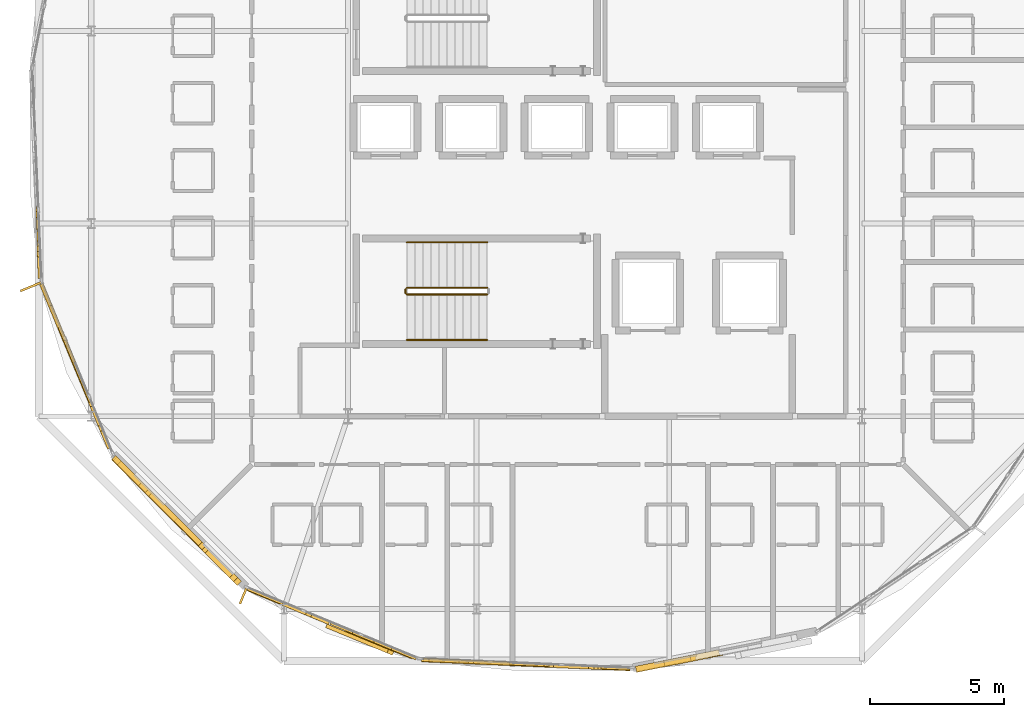
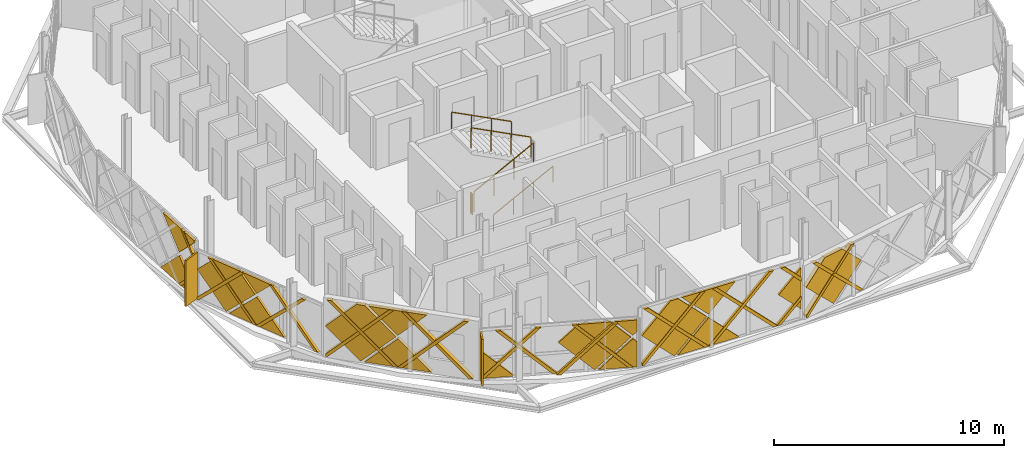
# One storey, part 20 of 24: 39 coverings, 5 railings, 2 shading devices.
"""IFC4 building model written with IfcOpenShell, lengths in metres."""

from ifc_helpers import new_model, si_unit, direction, frame, origin, origin_2d, place, context, subcontext, project, spatial, polyline, rectangle, circle, outline, extrude, material, layer, layer_set, type_object, element, save


model = new_model("IFC4")

# Units and contexts
model_context = context("Model", 3, precision=1e-05, world=origin(), true_north=direction((0.0, 1.0)))
body_context = subcontext(model_context, "Body", "Model", "MODEL_VIEW")
ifc_project = project(units=[si_unit("LENGTHUNIT", "METRE"), si_unit("AREAUNIT", "SQUARE_METRE"), si_unit("VOLUMEUNIT", "CUBIC_METRE"), si_unit("PLANEANGLEUNIT", "RADIAN"), si_unit("MASSUNIT", "GRAM", prefix="KILO")], contexts=[model_context])

# Site, building, storey
site_placement = place(None, origin())
site = spatial("IfcSite", under=ifc_project, at=site_placement, CompositionType="ELEMENT")
building_placement = place(site_placement, origin())
building = spatial("IfcBuilding", under=site, at=building_placement, Name="Zevrakil Square Congress Hotel", CompositionType="ELEMENT")
storey_placement = place(building_placement, frame((0.0, 0.0, 35.10009765625)))
storey = spatial("IfcBuildingStorey", under=building, at=storey_placement, Name="L10", CompositionType="ELEMENT", Elevation=35.10009765625)

# Coverings
ifc_material_1 = material(Name="Architectural White Fibre-C GRC", Category="concrete")
ifc_layer_1 = layer(ifc_material_1, 0.06494140625)
ifc_layer_set_1 = layer_set([ifc_layer_1], Name="Architectural White Fibre-C GRC")
covering_type_1 = type_object("IfcCoveringType", Name="COV-DIA-WHITE", PredefinedType="CLADDING", material=ifc_layer_set_1)
covering_1_placement = place(storey_placement, frame((150.68701171875, 7.8701171875, 1.679931640625), z_axis=(0.195079465857, -0.98078724945, 0.000610996468), x_axis=(-0.693375320469, -0.138353516947, -0.707169689193)))
element("IfcCovering", 1, at=covering_1_placement, inside=storey, type_object=covering_type_1, Name="L10 45-degree white GRC diamond facade cassette 3081", PredefinedType="CLADDING", context=body_context, shape_type="SweptSolid", body=[
    extrude(outline(polyline([(0.0, 0.0), (2.2485237702191414, -2.220446049250313e-16), (2.2484321586547518, -2.2346759115582437), (2.2342749529628954, -2.2488305930753154), (0.7067143166885739, -2.2485952126623645), (-0.00027619170072501475, -1.5414786312546833), (0.0, 0.0)])), origin(), (0.0, 0.0, -1.0), 0.2099609375),
])
covering_2_placement = place(storey_placement, frame((125.193603515625, 23.129150390625, 1.58984375), z_axis=(-0.999071645266, -0.043076923793, 0.000475669163), x_axis=(0.03012514136, -0.706492194002, -0.707079384278)))
element("IfcCovering", 2, at=covering_2_placement, inside=storey, type_object=covering_type_1, Name="L10 45-degree white GRC diamond facade cassette 3183", PredefinedType="CLADDING", context=body_context, shape_type="SweptSolid", body=[
    extrude(outline(polyline([(0.0, 0.0), (1.6746098547379626, -1.1102230246251565e-16), (1.905066636479116, -0.23047458807612686), (-6.422440089037806e-05, -2.1354583639213383), (0.0, 0.0)])), origin(), (0.0, 0.0, -1.0), 0.1201171875),
])
covering_3_placement = place(storey_placement, frame((125.19384765625, 23.129150390625, 1.77001953125), z_axis=(-0.999070391664, -0.043105215152, 0.000541227331), x_axis=(-0.030100130549, 0.706522951805, 0.707049715871)))
element("IfcCovering", 3, at=covering_3_placement, inside=storey, type_object=covering_type_1, Name="L10 45-degree white GRC diamond facade cassette 3186", PredefinedType="CLADDING", context=body_context, shape_type="SweptSolid", body=[
    extrude(outline(polyline([(0.0, 0.0), (1.8597581118635351, -1.1102230246251565e-16), (0.09227986268512134, -1.76719346709818), (-0.00024422122770972887, -1.674654475827753), (0.0, 0.0)])), origin(), (0.0, 0.0, -1.0), 0.1201171875),
])
covering_4_placement = place(storey_placement, frame((126.5419921875, 18.7099609375, 1.58984375), z_axis=(-0.923868829979, -0.382708701533, 0.000659366859), x_axis=(0.270168816895, -0.653412944797, -0.707149442444)))
element("IfcCovering", 4, at=covering_4_placement, inside=storey, type_object=covering_type_1, Name="L10 45-degree white GRC diamond facade cassette 3193", PredefinedType="CLADDING", context=body_context, shape_type="SweptSolid", body=[
    extrude(outline(polyline([(0.0, 0.0), (2.1353474598036293, 0.0), (4.904370967317995e-05, -2.1355570221912767), (0.0, 0.0)])), origin(), (0.0, 0.0, -1.0), 0.1201171875),
])
covering_5_placement = place(storey_placement, frame((126.507568359375, 18.793212890625, 1.679931640625), z_axis=(-0.923863471169, -0.382721784999, 0.000567386721), x_axis=(-0.270981599653, 0.653082178643, -0.707144002724)))
element("IfcCovering", 5, at=covering_5_placement, inside=storey, type_object=covering_type_1, Name="L10 45-degree white GRC diamond facade cassette 3194", PredefinedType="CLADDING", context=body_context, shape_type="SweptSolid", body=[
    extrude(outline(polyline([(0.0, 0.0), (2.248605533938587, -2.220446049250313e-16), (2.2483450209008504, -2.234425787947465), (2.2341883294400686, -2.2485809844961264), (0.9898320922231829, -2.2485013949416706), (-0.00011761326724668564, -1.2584471852942247), (0.0, 0.0)])), origin(), (0.0, 0.0, -1.0), 0.1201171875),
])
covering_6_placement = place(storey_placement, frame((126.5419921875, 18.7099609375, 1.77001953125), z_axis=(-0.92386037456, -0.382729074892, 0.00068084549), x_axis=(-0.270211508688, 0.653514735069, 0.707039059473)))
element("IfcCovering", 6, at=covering_6_placement, inside=storey, type_object=covering_type_1, Name="L10 45-degree white GRC diamond facade cassette 3195", PredefinedType="CLADDING", context=body_context, shape_type="SweptSolid", body=[
    extrude(outline(polyline([(0.0, 0.0), (1.1312029749754293, -1.1102230246251565e-16), (-0.00016144638551329749, -1.1311482684802083), (0.0, 0.0)])), origin(), (0.0, 0.0, -1.0), 0.1201171875),
])
covering_7_placement = place(storey_placement, frame((130.2802734375, 12.88232421875, 1.58984375), z_axis=(-0.707106665659, -0.707106665659, 0.000571630288), x_axis=(0.499716692516, -0.500288319938, -0.707103121302)))
element("IfcCovering", 7, at=covering_7_placement, inside=storey, type_object=covering_type_1, Name="L10 45-degree white GRC diamond facade cassette 3200", PredefinedType="CLADDING", context=body_context, shape_type="SweptSolid", body=[
    extrude(outline(polyline([(0.0, 0.0), (2.1354873428434074, 0.0), (-2.1408116838594893e-05, -2.1354873427360994), (0.0, 0.0)])), origin(), (0.0, 0.0, -1.0), 0.2099609375),
])
covering_8_placement = place(storey_placement, frame((130.216796875, 12.946044921875, 1.679931640625), z_axis=(-0.707070264645, -0.707143063319, 0.000573458677), x_axis=(-0.500291445921, 0.49966648886, -0.707136386455)))
element("IfcCovering", 8, at=covering_8_placement, inside=storey, type_object=covering_type_1, Name="L10 45-degree white GRC diamond facade cassette 3201", PredefinedType="CLADDING", context=body_context, shape_type="SweptSolid", body=[
    extrude(outline(polyline([(0.0, 0.0), (2.248629748417704, 0.0), (2.2485612017862366, -2.234593692780067), (2.2344046627995913, -2.2487490417192606), (0.26152651092483825, -2.2486438184719155), (-0.00018122981866919297, -1.98691406037199), (0.0, 0.0)])), origin(), (0.0, 0.0, -1.0), 0.2099609375),
])
covering_9_placement = place(storey_placement, frame((130.280517578125, 12.88232421875, 1.77001953125), z_axis=(-0.707106683685, -0.707106683685, 0.000525144214), x_axis=(-0.499771731098, 0.5002968393, 0.707058193773)))
element("IfcCovering", 9, at=covering_9_placement, inside=storey, type_object=covering_type_1, Name="L10 45-degree white GRC diamond facade cassette 3202", PredefinedType="CLADDING", context=body_context, shape_type="SweptSolid", body=[
    extrude(outline(polyline([(0.0, 0.0), (1.8597357584288405, 0.0), (-1.0897020790157086e-05, -1.8594916170560278), (0.0, 0.0)])), origin(), (0.0, 0.0, -1.0), 0.2099609375),
])
covering_10_placement = place(storey_placement, frame((134.33642578125, 9.75830078125, 0.079833984375), z_axis=(-0.382795141331, -0.923833050268, 0.000612376979), x_axis=(-0.923833223489, 0.382795213106, 0.0)))
element("IfcCovering", 10, at=covering_10_placement, inside=storey, type_object=covering_type_1, Name="L10 45-degree white GRC diamond facade cassette 3207", PredefinedType="CLADDING", context=body_context, shape_type="SweptSolid", body=[
    extrude(outline(polyline([(0.0, 0.0), (1.4101402091595994, 5.421010862427522e-20), (1.4099694863061667, -1.410156514408295), (0.0, 0.0)])), origin(), (0.0, 0.0, -1.0), 0.1201171875),
])
covering_11_placement = place(storey_placement, frame((139.150146484375, 7.765380859375, 1.58984375), z_axis=(-0.382616449419, -0.923907144862, 0.000490210687), x_axis=(0.653103343036, -0.270844044671, -0.707177153747)))
element("IfcCovering", 11, at=covering_11_placement, inside=storey, type_object=covering_type_1, Name="L10 45-degree white GRC diamond facade cassette 3208", PredefinedType="CLADDING", context=body_context, shape_type="SweptSolid", body=[
    extrude(outline(polyline([(0.0, 0.0), (0.26272194364133294, 0.0), (1.1992181132494006, -0.9362322380569426), (0.0002758224788055319, -2.1354134106859286), (0.0, 0.0)])), origin(), (0.0, 0.0, -1.0), 0.1201171875),
])
covering_12_placement = place(storey_placement, frame((139.067138671875, 7.800048828125, 1.679931640625), z_axis=(-0.382636587335, -0.923898756788, 0.000573792342), x_axis=(-0.653466938375, 0.270196961807, -0.707088793775)))
element("IfcCovering", 12, at=covering_12_placement, inside=storey, type_object=covering_type_1, Name="L10 45-degree white GRC diamond facade cassette 3209", PredefinedType="CLADDING", context=body_context, shape_type="SweptSolid", body=[
    extrude(outline(polyline([(0.0, 0.0), (2.2487810190107895, 0.0), (2.248653025889955, -2.248539380285263), (0.9900463031141908, -2.2484628329676086), (8.537203195191356e-05, -1.258551974022046), (0.0, 0.0)])), origin(), (0.0, 0.0, -1.0), 0.1201171875),
])
covering_13_placement = place(storey_placement, frame((139.150146484375, 7.765625, 1.77001953125), z_axis=(-0.382821907419, -0.92382203329, 0.000487861163), x_axis=(-0.653139715544, 0.27102746664, 0.707073280718)))
element("IfcCovering", 13, at=covering_13_placement, inside=storey, type_object=covering_type_1, Name="L10 45-degree white GRC diamond facade cassette 3210", PredefinedType="CLADDING", context=body_context, shape_type="SweptSolid", body=[
    extrude(outline(polyline([(0.0, 0.0), (1.131148277580393, 0.0), (0.4340731793365563, -0.6970091673559515), (-0.00014565085678255874, -0.2628814777507218), (0.0, 0.0)])), origin(), (0.0, 0.0, -1.0), 0.1201171875),
])
covering_14_placement = place(storey_placement, frame((142.802978515625, 7.504150390625, 1.58984375), z_axis=(-0.043089890273, -0.999071039379, 0.000565359521), x_axis=(0.706426752544, -0.030868299593, -0.707112714757)))
element("IfcCovering", 14, at=covering_14_placement, inside=storey, type_object=covering_type_1, Name="L10 45-degree white GRC diamond facade cassette 3215", PredefinedType="CLADDING", context=body_context, shape_type="SweptSolid", body=[
    extrude(outline(polyline([(0.0, 0.0), (2.135458370514828, 2.220446049250313e-16), (8.859228778668182e-05, -2.1354062984414917), (0.0, 0.0)])), origin(), (0.0, 0.0, -1.0), 0.1201171875),
])
covering_15_placement = place(storey_placement, frame((142.713134765625, 7.50830078125, 1.679931640625), z_axis=(-0.043043463019, -0.999073016241, 0.000607051171), x_axis=(-0.706461661167, 0.030007117564, -0.707114908765)))
element("IfcCovering", 15, at=covering_15_placement, inside=storey, type_object=covering_type_1, Name="L10 45-degree white GRC diamond facade cassette 3216", PredefinedType="CLADDING", context=body_context, shape_type="SweptSolid", body=[
    extrude(outline(polyline([(0.0, 0.0), (2.248698094346398, 2.220446049250313e-16), (2.2485318258373646, -2.2344282617726074), (2.234375716824008, -2.248584040146799), (0.2616634413874428, -2.2487045168353728), (-0.00011387289696918046, -1.9869211449911266), (0.0, 0.0)])), origin(), (0.0, 0.0, -1.0), 0.1201171875),
])
covering_16_placement = place(storey_placement, frame((146.249755859375, 7.355712890625, 1.679931640625), z_axis=(-0.043282303638, -0.9990626582, 0.000668716639), x_axis=(0.70647008189, -0.030133047262, 0.707101140472)))
element("IfcCovering", 16, at=covering_16_placement, inside=storey, type_object=covering_type_1, Name="L10 45-degree white GRC diamond facade cassette 3217", PredefinedType="CLADDING", context=body_context, shape_type="SweptSolid", body=[
    extrude(outline(polyline([(0.0, 0.0), (1.5474989624821107, 1.1102230246251565e-16), (6.882944854624817e-05, -1.5475437938096466), (0.0, 0.0)])), origin(), (0.0, 0.0, -1.0), 0.1201171875),
])
covering_17_placement = place(storey_placement, frame((142.802978515625, 7.50439453125, 1.77001953125), z_axis=(-0.043074639448, -0.999071702013, 0.000556482567), x_axis=(-0.706441888382, 0.030851857233, 0.707098310876)))
element("IfcCovering", 17, at=covering_17_placement, inside=storey, type_object=covering_type_1, Name="L10 45-degree white GRC diamond facade cassette 3218", PredefinedType="CLADDING", context=body_context, shape_type="SweptSolid", body=[
    extrude(outline(polyline([(0.0, 0.0), (1.8596302466344468, 1.1102230246251565e-16), (6.410375920085087e-07, -1.859585629882697), (0.0, 0.0)])), origin(), (0.0, 0.0, -1.0), 0.1201171875),
])
ifc_material_2 = material(Name="Anodised Champagne Aluminium", Category="aluminium")
ifc_layer_2 = layer(ifc_material_2, 0.0849609375)
ifc_layer_set_2 = layer_set([ifc_layer_2], Name="Anodised Champagne Aluminium")
covering_type_2 = type_object("IfcCoveringType", Name="COV-DIAGRID-45", PredefinedType="MOLDING", material=ifc_layer_set_2)
covering_18_placement = place(storey_placement, frame((147.66748046875, 7.2431640625, 0.079833984375), z_axis=(0.195653272231, -0.980673134367, 2.4403881e-05), x_axis=(-0.980673134659, -0.19565327229, 2.046e-09)))
element("IfcCovering", 18, at=covering_18_placement, inside=storey, type_object=covering_type_2, Name="L10 45-degree aluminium diagrid rib 3083", PredefinedType="MOLDING", context=body_context, shape_type="SweptSolid", body=[
    extrude(outline(polyline([(0.0, 0.0), (0.08613598153810498, 5.293955920339377e-23), (0.08613598179640831, -0.12622070308741468), (-2.477833761103705, -2.690185552811873), (-2.6899418096923036, -2.6901855533522596), (0.0, 0.0)])), origin(), (0.0, 0.0, -1.0), 0.235107421875),
])
covering_19_placement = place(storey_placement, frame((147.95947265625, 7.302734375, 2.77001953125), z_axis=(0.195673277498, -0.980668426048, 0.001186012605), x_axis=(0.980669115765, 0.195673415118, 0.0)))
element("IfcCovering", 19, at=covering_19_placement, inside=storey, type_object=covering_type_2, Name="L10 45-degree aluminium diagrid rib 3085", PredefinedType="MOLDING", context=body_context, shape_type="SweptSolid", body=[
    extrude(outline(polyline([(0.0, 0.0), (0.21210804863334146, 0.0), (2.901907673309703, -2.6901874389193288), (2.689799624676362, -2.6901874389193288), (0.0, 0.0)])), origin(), (0.0, 0.0, -1.0), 0.235107421875),
])
covering_20_placement = place(storey_placement, frame((125.17578125, 22.942138671875, 0.079833984375), z_axis=(-0.999069313343, -0.04313018463, 0.000542503642), x_axis=(-0.043130190817, 0.999069460368, 2.94382e-07)))
element("IfcCovering", 20, at=covering_20_placement, inside=storey, type_object=covering_type_2, Name="L10 45-degree aluminium diagrid rib 3189", PredefinedType="MOLDING", context=body_context, shape_type="SweptSolid", body=[
    extrude(outline(polyline([(0.0, 0.0), (0.2121064718407351, 1.6940658945086007e-21), (-0.998026982605781, -1.2104496906750732), (-0.9980270450613334, -0.9982915187702467), (0.0, 0.0)])), origin(), (0.0, 0.0, -1.0), 0.14501953125),
])
covering_21_placement = place(storey_placement, frame((125.177001953125, 22.95947265625, 3.0849609375), z_axis=(-0.999072363986, -0.043058276145, 0.00062958327), x_axis=(0.043058284473, -0.999072561998, -3.27148e-07)))
element("IfcCovering", 21, at=covering_21_placement, inside=storey, type_object=covering_type_2, Name="L10 45-degree aluminium diagrid rib 3192", PredefinedType="MOLDING", context=body_context, shape_type="SweptSolid", body=[
    extrude(outline(polyline([(0.0, 0.0), (0.21235039377493872, 1.6940658945086007e-21), (1.0153244354913855, -0.8032224832772277), (1.0153139926220693, -1.0153807979228369), (0.0, 0.0)])), origin(), (0.0, 0.0, -1.0), 0.14501953125),
])
covering_22_placement = place(storey_placement, frame((125.303466796875, 21.63232421875, 0.079833984375), z_axis=(-0.9239428593, -0.382529769628, 0.000753721371), x_axis=(-0.382529878326, 0.923943121728, -5.8916e-08)))
element("IfcCovering", 22, at=covering_22_placement, inside=storey, type_object=covering_type_2, Name="L10 45-degree aluminium diagrid rib 3196", PredefinedType="MOLDING", context=body_context, shape_type="SweptSolid", body=[
    extrude(outline(polyline([(0.0, 0.0), (0.08614428497491064, -3.3881317890172014e-21), (0.08614427753844295, -0.12622066727226236), (-2.2777210267845276, -2.489990820970007), (-2.4898612236477016, -2.4899907307483984), (0.0, 0.0)])), origin(), (0.0, 0.0, -1.0), 0.14501953125),
])
covering_23_placement = place(storey_placement, frame((126.589111328125, 18.5283203125, 0.079833984375), z_axis=(-0.924044369107, -0.382283776378, 0.001057468719), x_axis=(-0.382283990348, 0.924044885665, -2.32864e-07)))
element("IfcCovering", 23, at=covering_23_placement, inside=storey, type_object=covering_type_2, Name="L10 45-degree aluminium diagrid rib 3197", PredefinedType="MOLDING", context=body_context, shape_type="SweptSolid", body=[
    extrude(outline(polyline([(0.0, 0.0), (0.2119146198971749, 0.0), (-2.2780398030069064, -2.489991096105712), (-2.490180019799996, -2.4899909973585106), (0.0, 0.0)])), origin(), (0.0, 0.0, -1.0), 0.14501953125),
])
covering_24_placement = place(storey_placement, frame((125.495361328125, 21.173095703125, 2.56982421875), z_axis=(-0.923925593487, -0.382571930055, 0.000464794603), x_axis=(0.382571971273, -0.92392569333, -2.47107e-07)))
element("IfcCovering", 24, at=covering_24_placement, inside=storey, type_object=covering_type_2, Name="L10 45-degree aluminium diagrid rib 3198", PredefinedType="MOLDING", context=body_context, shape_type="SweptSolid", body=[
    extrude(outline(polyline([(0.0, 0.0), (0.2121401919450734, 0.0), (2.702195788602069, -2.4899898356046646), (2.489962195296821, -2.4899899404704393), (0.0, 0.0)])), origin(), (0.0, 0.0, -1.0), 0.14501953125),
])
covering_25_placement = place(storey_placement, frame((126.781005859375, 18.06884765625, 2.56982421875), z_axis=(-0.923841196214, -0.382775324288, 0.000703770647), x_axis=(0.382775419224, -0.923841424942, 2.19017e-07)))
element("IfcCovering", 25, at=covering_25_placement, inside=storey, type_object=covering_type_2, Name="L10 45-degree aluminium diagrid rib 3199", PredefinedType="MOLDING", context=body_context, shape_type="SweptSolid", body=[
    extrude(outline(polyline([(0.0, 0.0), (0.2122336129955014, 0.0), (2.7021943075848585, -2.489991442838567), (2.4902796928423276, -2.48999134994301), (0.0, 0.0)])), origin(), (0.0, 0.0, -1.0), 0.14501953125),
])
covering_26_placement = place(storey_placement, frame((128.017578125, 15.1083984375, 0.079833984375), z_axis=(-0.70726322946, -0.706949808182, 0.000832445402), x_axis=(-0.706950053236, 0.707263474406, -1.84488e-07)))
element("IfcCovering", 26, at=covering_26_placement, inside=storey, type_object=covering_type_2, Name="L10 45-degree aluminium diagrid rib 3203", PredefinedType="MOLDING", context=body_context, shape_type="SweptSolid", body=[
    extrude(outline(polyline([(0.0, 0.0), (0.08597147665600283, 0.0), (0.08597145336973734, -0.12622065939170363), (-2.7930373239542035, -3.0051274926879046), (-3.005203918057454, -3.005127348979945), (0.0, 0.0)])), origin(), (0.0, 0.0, -1.0), 0.235107421875),
])
covering_27_placement = place(storey_placement, frame((130.3935546875, 12.732421875, 0.079833984375), z_axis=(-0.706818916291, -0.707394501728, 0.000196210618), x_axis=(-0.707394515333, 0.706818929908, 7.9858e-08)))
element("IfcCovering", 27, at=covering_27_placement, inside=storey, type_object=covering_type_2, Name="L10 45-degree aluminium diagrid rib 3204", PredefinedType="MOLDING", context=body_context, shape_type="SweptSolid", body=[
    extrude(outline(polyline([(0.0, 0.0), (0.21199391000444043, -3.3881317890172014e-21), (-2.7928648568151218, -3.005127234003657), (-3.0050314705586576, -3.0051272678761842), (0.0, 0.0)])), origin(), (0.0, 0.0, -1.0), 0.235107421875),
])
covering_28_placement = place(storey_placement, frame((128.0068359375, 15.12158203125, 3.0849609375), z_axis=(-0.707106664511, -0.707106664511, 0.000574463128), x_axis=(0.707106781376, -0.707106780997, 4.67423e-07)))
element("IfcCovering", 28, at=covering_28_placement, inside=storey, type_object=covering_type_2, Name="L10 45-degree aluminium diagrid rib 3205", PredefinedType="MOLDING", context=body_context, shape_type="SweptSolid", body=[
    extrude(outline(polyline([(0.0, 0.0), (0.21216656105428755, 6.776263578034403e-21), (3.217196342938913, -3.005128952775497), (3.0050297818847183, -3.005128754432346), (0.0, 0.0)])), origin(), (0.0, 0.0, -1.0), 0.235107421875),
])
covering_29_placement = place(storey_placement, frame((130.3828125, 12.745849609375, 3.0849609375), z_axis=(-0.707394501728, -0.706818916291, 0.000196210618), x_axis=(0.706818929886, -0.707394515356, -7.9793e-08)))
element("IfcCovering", 29, at=covering_29_placement, inside=storey, type_object=covering_type_2, Name="L10 45-degree aluminium diagrid rib 3206", PredefinedType="MOLDING", context=body_context, shape_type="SweptSolid", body=[
    extrude(outline(polyline([(0.0, 0.0), (0.21216661374353823, -3.3881317890172014e-21), (3.217025860333423, -3.00512675427612), (3.0050319503289855, -3.0051267881210744), (0.0, 0.0)])), origin(), (0.0, 0.0, -1.0), 0.235107421875),
])
covering_30_placement = place(storey_placement, frame((133.103759765625, 10.241943359375, 0.079833984375), z_axis=(-0.382199600991, -0.924079789156, 9.0972193e-05), x_axis=(-0.924079792978, 0.382199602576, 3.9628e-08)))
element("IfcCovering", 30, at=covering_30_placement, inside=storey, type_object=covering_type_2, Name="L10 45-degree aluminium diagrid rib 3211", PredefinedType="MOLDING", context=body_context, shape_type="SweptSolid", body=[
    extrude(outline(polyline([(0.0, 0.0), (0.08614427706510575, -4.235164736271502e-22), (0.08614428206696312, -0.12622070260270243), (-2.277821570819673, -2.4899903361138764), (-2.4899617909897844, -2.489990347003389), (0.0, 0.0)])), origin(), (0.0, 0.0, -1.0), 0.14501953125),
])
covering_31_placement = place(storey_placement, frame((136.2080078125, 8.956298828125, 0.079833984375), z_axis=(0.382080711778, 0.924128950475, 0.00011216202), x_axis=(-0.924128956288, 0.382080714181, 0.0)))
element("IfcCovering", 31, at=covering_31_placement, inside=storey, type_object=covering_type_2, Name="L10 45-degree aluminium diagrid rib 3212", PredefinedType="MOLDING", context=body_context, shape_type="SweptSolid", body=[
    extrude(outline(polyline([(0.0, 0.0), (0.2121402219257289, 0.0), (-2.277914962863573, 2.489990250037436), (-2.490055184789302, 2.489990250037436), (0.0, 0.0)])), origin(), (0.0, 0.0, -1.0), 0.14501953125),
])
covering_32_placement = place(storey_placement, frame((133.564208984375, 10.052734375, 2.56982421875), z_axis=(-0.382571872424, -0.923925454306, 0.000719246977), x_axis=(0.923925693392, -0.382571971125, 3.82386e-07)))
element("IfcCovering", 32, at=covering_32_placement, inside=storey, type_object=covering_type_2, Name="L10 45-degree aluminium diagrid rib 3213", PredefinedType="MOLDING", context=body_context, shape_type="SweptSolid", body=[
    extrude(outline(polyline([(0.0, 0.0), (0.2121401919450824, 6.776263578034403e-21), (2.702093797150664, -2.4899919116749185), (2.4898602038454434, -2.489991749400248), (0.0, 0.0)])), origin(), (0.0, 0.0, -1.0), 0.14501953125),
])
covering_33_placement = place(storey_placement, frame((136.66845703125, 8.76708984375, 2.56982421875), z_axis=(-0.382775374934, -0.92384131845, 0.000480279792), x_axis=(0.923841424973, -0.382775419148, -1.49465e-07)))
element("IfcCovering", 33, at=covering_33_placement, inside=storey, type_object=covering_type_2, Name="L10 45-degree aluminium diagrid rib 3214", PredefinedType="MOLDING", context=body_context, shape_type="SweptSolid", body=[
    extrude(outline(polyline([(0.0, 0.0), (0.21223361299549867, -6.776263578034403e-21), (2.7020954503178243, -2.489990117686881), (2.4901808355752846, -2.4899901810823333), (0.0, 0.0)])), origin(), (0.0, 0.0, -1.0), 0.14501953125),
])
covering_34_placement = place(storey_placement, frame((139.630859375, 7.614990234375, 0.079833984375), z_axis=(-0.043718362231, -0.999043165187, 0.001207847765), x_axis=(-0.999043893828, 0.043718396586, 2.042407e-06)))
element("IfcCovering", 34, at=covering_34_placement, inside=storey, type_object=covering_type_2, Name="L10 45-degree aluminium diagrid rib 3219", PredefinedType="MOLDING", context=body_context, shape_type="SweptSolid", body=[
    extrude(outline(polyline([(0.0, 0.0), (0.08602610961254077, 8.470329472543003e-22), (0.08602636740656369, -0.12622061105324958), (-2.7930297824260912, -3.0051349374671807), (-3.00514682317641, -3.005135365948588), (0.0, 0.0)])), origin(), (0.0, 0.0, -1.0), 0.14501953125),
])
covering_35_placement = place(storey_placement, frame((142.98779296875, 7.47021484375, 0.079833984375), z_axis=(-0.043762034077, -0.999041172689, 0.001272652592), x_axis=(-0.999041981738, 0.043762069476, -3.2051e-08)))
element("IfcCovering", 35, at=covering_35_placement, inside=storey, type_object=covering_type_2, Name="L10 45-degree aluminium diagrid rib 3220", PredefinedType="MOLDING", context=body_context, shape_type="SweptSolid", body=[
    extrude(outline(polyline([(0.0, 0.0), (0.2121170407199104, 0.0), (-2.7930358519234066, -3.0051292972270853), (-3.0049089859094944, -3.0051292836377566), (0.0, 0.0)])), origin(), (0.0, 0.0, -1.0), 0.14501953125),
])
covering_36_placement = place(storey_placement, frame((146.3447265625, 7.325439453125, 0.079833984375), z_axis=(-0.043120083245, -0.99906967408, 0.000666899242), x_axis=(-0.999069896239, 0.043120093109, 4.11743e-07)))
element("IfcCovering", 36, at=covering_36_placement, inside=storey, type_object=covering_type_2, Name="L10 45-degree aluminium diagrid rib 3221", PredefinedType="MOLDING", context=body_context, shape_type="SweptSolid", body=[
    extrude(outline(polyline([(0.0, 0.0), (0.21211700035966818, -8.470329472543003e-22), (-0.9982075832083921, -1.2104498989314874), (-0.9979637570141161, -0.9982917358645564), (0.0, 0.0)])), origin(), (0.0, 0.0, -1.0), 0.14501953125),
])
covering_37_placement = place(storey_placement, frame((139.614013671875, 7.61767578125, 3.0849609375), z_axis=(-0.043187328903, -0.999066875298, 0.000483016948), x_axis=(0.999066991835, -0.043187334081, -2.90048e-07)))
element("IfcCovering", 37, at=covering_37_placement, inside=storey, type_object=covering_type_2, Name="L10 45-degree aluminium diagrid rib 3222", PredefinedType="MOLDING", context=body_context, shape_type="SweptSolid", body=[
    extrude(outline(polyline([(0.0, 0.0), (0.21187309585359076, 0.0), (3.2169321698781514, -3.0051263706156215), (3.004825704967492, -3.005126493590171), (0.0, 0.0)])), origin(), (0.0, 0.0, -1.0), 0.14501953125),
])
covering_38_placement = place(storey_placement, frame((142.970703125, 7.472900390625, 3.0849609375), z_axis=(-0.043162497277, -0.999067936967, 0.000506116428), x_axis=(0.999068064918, -0.043162502952, -2.90991e-07)))
element("IfcCovering", 38, at=covering_38_placement, inside=storey, type_object=covering_type_2, Name="L10 45-degree aluminium diagrid rib 3223", PredefinedType="MOLDING", context=body_context, shape_type="SweptSolid", body=[
    extrude(outline(polyline([(0.0, 0.0), (0.2121170057277659, 8.470329472543003e-22), (3.217176048743619, -3.005126401842201), (3.0050695807363006, -3.0051265252875625), (0.0, 0.0)])), origin(), (0.0, 0.0, -1.0), 0.14501953125),
])
covering_39_placement = place(storey_placement, frame((146.32763671875, 7.327880859375, 3.0849609375), z_axis=(-0.043108829403, -0.999070246403, 0.000521133262), x_axis=(0.999070382073, -0.043108835115, 2.71646e-07)))
element("IfcCovering", 39, at=covering_39_placement, inside=storey, type_object=covering_type_2, Name="L10 45-degree aluminium diagrid rib 3224", PredefinedType="MOLDING", context=body_context, shape_type="SweptSolid", body=[
    extrude(outline(polyline([(0.0, 0.0), (0.21210647425253568, -8.470329472543003e-22), (1.0153660261114046, -0.8032230411398753), (1.015365968479454, -1.015381215455916), (0.0, 0.0)])), origin(), (0.0, 0.0, -1.0), 0.14501953125),
])

# Railings
ifc_material_3 = material(Name="Steel S355", Category="steel")
railing_type_1 = type_object("IfcRailingType", Name="RLG-STAIR-GUARD-1100", PredefinedType="BALUSTRADE", material=ifc_material_3)
railing_1_placement = place(storey_placement, frame((139.0, 21.35009765625, 0.154541015625)))
element("IfcRailing", 40, at=railing_1_placement, inside=storey, type_object=railing_type_1, Name="L10 ST01 stair guard 1", PredefinedType="BALUSTRADE", context=body_context, shape_type="SweptSolid", body=[
    extrude(circle(Radius=0.02392578125, at=origin_2d()), frame((0.0, 0.0, 1.076171875), z_axis=(0.888979911393, 0.0, 0.45794619459), x_axis=(0.0, 1.0, 0.0)), (0.0, 0.0, 1.0), 3.374755859375),
    extrude(circle(Radius=0.02099609375, at=origin_2d()), origin(), (0.0, 0.0, 1.0), 1.052001953125),
    extrude(circle(Radius=0.02099609375, at=origin_2d()), frame((1.0, 0.0, 0.51513671875)), (0.0, 0.0, 1.0), 1.052001953125),
    extrude(circle(Radius=0.02099609375, at=origin_2d()), frame((2.0, 0.0, 1.0302734375)), (0.0, 0.0, 1.0), 1.052001953125),
    extrude(circle(Radius=0.02099609375, at=origin_2d()), frame((3.0, 0.0, 1.54541015625)), (0.0, 0.0, 1.0), 1.052001953125),
])
railing_2_placement = place(storey_placement, frame((142.0, 21.60009765625, 1.8544921875)))
element("IfcRailing", 41, at=railing_2_placement, inside=storey, type_object=railing_type_1, Name="L10 ST01 stair guard 3", PredefinedType="BALUSTRADE", context=body_context, shape_type="SweptSolid", body=[
    extrude(circle(Radius=0.02392578125, at=origin_2d()), frame((0.0, 0.0, 1.076171875), z_axis=(-0.888979911393, 0.0, 0.45794619459), x_axis=(0.0, -1.0, 0.0)), (0.0, 0.0, 1.0), 3.374755859375),
    extrude(circle(Radius=0.02099609375, at=origin_2d()), origin(), (0.0, 0.0, 1.0), 1.052001953125),
    extrude(circle(Radius=0.02099609375, at=origin_2d()), frame((-1.0, 0.0, 0.51513671875)), (0.0, 0.0, 1.0), 1.052001953125),
    extrude(circle(Radius=0.02099609375, at=origin_2d()), frame((-2.0, 0.0, 1.0302734375)), (0.0, 0.0, 1.0), 1.052001953125),
    extrude(circle(Radius=0.02099609375, at=origin_2d()), frame((-3.0, 0.0, 1.54541015625)), (0.0, 0.0, 1.0), 1.052001953125),
])
railing_3_placement = place(storey_placement, frame((138.949951171875, 21.39990234375, 0.0)))
element("IfcRailing", 42, at=railing_3_placement, inside=storey, type_object=railing_type_1, Name="L10 ST01 stair guard 4", PredefinedType="BALUSTRADE", context=body_context, shape_type="SweptSolid", body=[
    extrude(circle(Radius=0.02392578125, at=origin_2d()), frame((0.0, 0.0, 1.076171875), z_axis=(0.0, 1.0, 0.0), x_axis=(-1.0, 0.0, 0.0)), (0.0, 0.0, 1.0), 0.150146484375),
    extrude(circle(Radius=0.02099609375, at=origin_2d()), origin(), (0.0, 0.0, 1.0), 1.052001953125),
    extrude(circle(Radius=0.02099609375, at=origin_2d()), frame((0.0, 0.150146484375, 0.0)), (0.0, 0.0, 1.0), 1.052001953125),
])
ifc_material_4 = material(Name="Steel S355", Category="steel")
railing_type_2 = type_object("IfcRailingType", Name="RLG-STAIR-HAND-900", PredefinedType="HANDRAIL", material=ifc_material_4)
railing_4_placement = place(storey_placement, frame((139.0, 19.64990234375, 0.154541015625)))
element("IfcRailing", 43, at=railing_4_placement, inside=storey, type_object=railing_type_2, Name="L10 ST01 stair handrail 1", PredefinedType="HANDRAIL", context=body_context, shape_type="SweptSolid", body=[
    extrude(circle(Radius=0.02392578125, at=origin_2d()), frame((0.0, 0.0, 0.8759765625), z_axis=(0.888979911393, 0.0, 0.45794619459), x_axis=(0.0, 1.0, 0.0)), (0.0, 0.0, 1.0), 3.374755859375),
    extrude(circle(Radius=0.02099609375, at=origin_2d()), origin(), (0.0, 0.0, 1.0), 0.851806640625),
    extrude(circle(Radius=0.02099609375, at=origin_2d()), frame((1.0, 0.0, 0.51513671875)), (0.0, 0.0, 1.0), 0.851806640625),
    extrude(circle(Radius=0.02099609375, at=origin_2d()), frame((2.0, 0.0, 1.0302734375)), (0.0, 0.0, 1.0), 0.851806640625),
    extrude(circle(Radius=0.02099609375, at=origin_2d()), frame((3.0, 0.0, 1.54541015625)), (0.0, 0.0, 1.0), 0.851806640625),
])
railing_5_placement = place(storey_placement, frame((142.0, 23.300048828125, 1.8544921875)))
element("IfcRailing", 44, at=railing_5_placement, inside=storey, type_object=railing_type_2, Name="L10 ST01 stair handrail 2", PredefinedType="HANDRAIL", context=body_context, shape_type="SweptSolid", body=[
    extrude(circle(Radius=0.02392578125, at=origin_2d()), frame((0.0, 0.0, 0.8759765625), z_axis=(-0.888979911393, 0.0, 0.45794619459), x_axis=(0.0, -1.0, 0.0)), (0.0, 0.0, 1.0), 3.374755859375),
    extrude(circle(Radius=0.02099609375, at=origin_2d()), origin(), (0.0, 0.0, 1.0), 0.851806640625),
    extrude(circle(Radius=0.02099609375, at=origin_2d()), frame((-1.0, 0.0, 0.51513671875)), (0.0, 0.0, 1.0), 0.851806640625),
    extrude(circle(Radius=0.02099609375, at=origin_2d()), frame((-2.0, 0.0, 1.0302734375)), (0.0, 0.0, 1.0), 0.851806640625),
    extrude(circle(Radius=0.02099609375, at=origin_2d()), frame((-3.0, 0.0, 1.54541015625)), (0.0, 0.0, 1.0), 0.851806640625),
])

# Shading devices
ifc_material_5 = material(Name="Aluminium Anodised Bronze", Category="aluminium")
shading_device_type_1 = type_object("IfcShadingDeviceType", Name="SHD-FIN-65", PredefinedType="USERDEFINED", material=ifc_material_5)
shading_device_1_placement = place(storey_placement, frame((132.882568359375, 10.090087890625, 0.10009765625), z_axis=(0.0, 0.0, 1.0), x_axis=(-0.382683432365, -0.923879532511, 0.0)))
element("IfcShadingDevice", 45, at=shading_device_1_placement, inside=storey, type_object=shading_device_type_1, Name="L10 aluminium solar shading fin 178", ObjectType="SOLAR FIN", PredefinedType="USERDEFINED", context=body_context, shape_type="SweptSolid", body=[
    extrude(rectangle(XDim=0.64990234375, YDim=0.080078125, at=origin_2d()), origin(), (0.0, 0.0, 1.0), 2.449951171875),
])
ifc_material_6 = material(Name="Aluminium Anodised Bronze", Category="aluminium")
shading_device_type_2 = type_object("IfcShadingDeviceType", Name="SHD-FIN-85", PredefinedType="USERDEFINED", material=ifc_material_6)
shading_device_2_placement = place(storey_placement, frame((124.947265625, 21.64306640625, 0.10009765625), z_axis=(0.0, 0.0, 1.0), x_axis=(-0.923879532511, -0.382683432365, 0.0)))
element("IfcShadingDevice", 46, at=shading_device_2_placement, inside=storey, type_object=shading_device_type_2, Name="L10 aluminium solar shading fin 177", ObjectType="SOLAR FIN", PredefinedType="USERDEFINED", context=body_context, shape_type="SweptSolid", body=[
    extrude(rectangle(XDim=0.85009765625, YDim=0.080078125, at=origin_2d()), origin(), (0.0, 0.0, 1.0), 2.449951171875),
])

save(model, "model.ifc")
